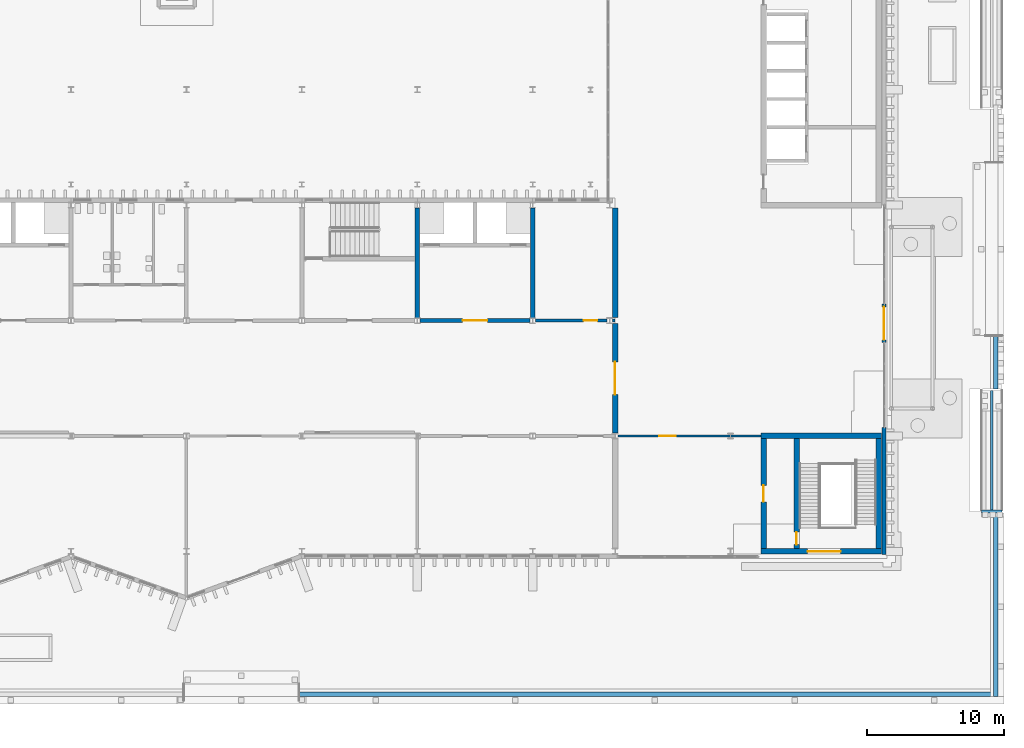
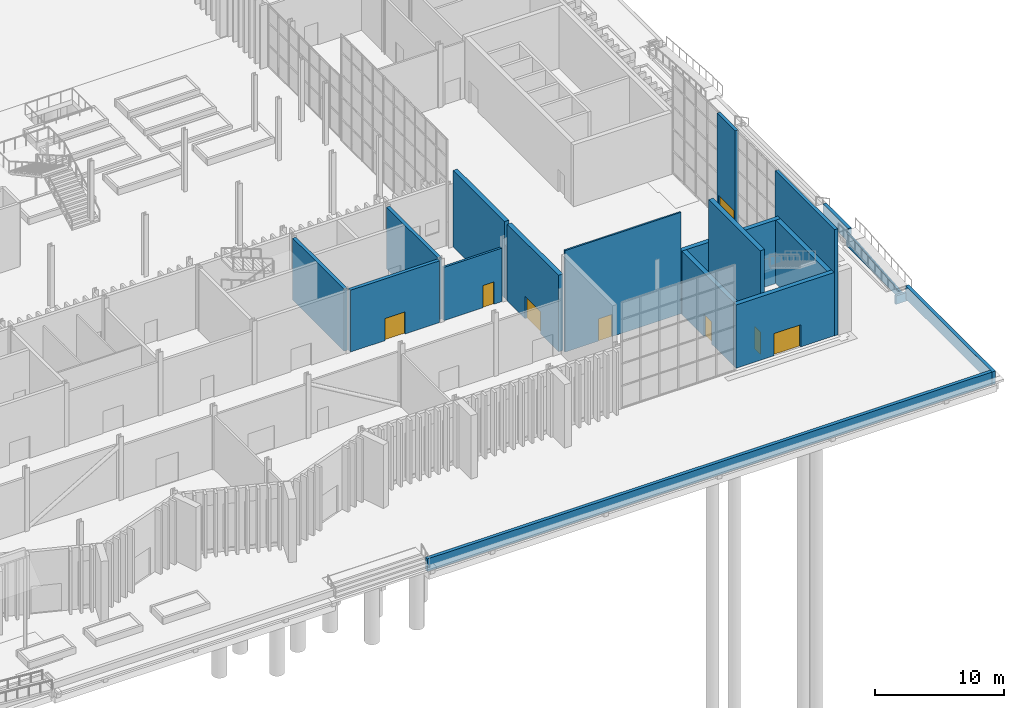
# One storey, part 70 of 108: 20 walls, 8 doors, 8 openings.
"""IFC4 building model written with IfcOpenShell, lengths in metres."""

import ifcopenshell
import ifcopenshell.guid

model = None  # the IFC model being written
_history = None  # IfcOwnerHistory: only IFC2X3 demands one
_inside = {}  # id of a spatial element -> (the spatial element, [elements in it])
_under = {}  # id of a project, library or spatial element -> (it, [spatial elements below it])
_declared = {}  # id of a project -> (the project, [libraries it declares])
_typed = {}  # id of a type object -> (the type object, [elements of that type])
_made_of = {}  # id of a material, layer set ... -> (it, [elements and type objects made of it])


def new_model(schema):
    """Start an empty IFC model of exactly this schema.

    Asked for "IFC4X3", IfcOpenShell would pick the latest addendum, in which some entities
    have other attributes; the version numbers below select the first issue.
    IFC2X3 requires an IfcOwnerHistory on every rooted entity: one is made here for all.
    """
    global model, _history
    if schema == "IFC4X3":
        model = ifcopenshell.file(schema_version=(4, 3, 0, 0))
    else:
        model = ifcopenshell.file(schema=schema)
    _inside.clear()
    _under.clear()
    _declared.clear()
    _typed.clear()
    _made_of.clear()
    _history = None
    if model.schema == "IFC2X3":
        org = make("IfcOrganization", Name="unknown")
        user = make(
            "IfcPersonAndOrganization",
            ThePerson=make("IfcPerson", FamilyName="unknown"),
            TheOrganization=org,
        )
        app = make(
            "IfcApplication",
            ApplicationDeveloper=org,
            Version="unknown",
            ApplicationFullName="unknown",
            ApplicationIdentifier="unknown",
        )
        _history = make(
            "IfcOwnerHistory",
            OwningUser=user,
            OwningApplication=app,
            ChangeAction="ADDED",
            CreationDate=0,
        )
    return model


def make(cls, **values):
    """One entity of the class cls with the attributes given. An attribute that is None is left unset."""
    return model.create_entity(
        cls, **{name: value for name, value in values.items() if value is not None}
    )


def rooted(cls, **values):
    """An entity with a GlobalId (a new one), such as an element, a storey or a relation."""
    return make(cls, GlobalId=ifcopenshell.guid.new(), OwnerHistory=_history, **values)


def si_unit(unit_type, name, prefix=None):
    """IfcSIUnit, for example si_unit("LENGTHUNIT", "METRE", prefix="MILLI")."""
    return make("IfcSIUnit", UnitType=unit_type, Prefix=prefix, Name=name)


def assignment(units):
    """IfcUnitAssignment: the units of a project."""
    return None if units is None else make("IfcUnitAssignment", Units=units)


def point(xyz):
    """IfcCartesianPoint."""
    return None if xyz is None else make("IfcCartesianPoint", Coordinates=xyz)


def direction(xyz):
    """IfcDirection."""
    return None if xyz is None else make("IfcDirection", DirectionRatios=xyz)


def frame(location, z_axis=None, x_axis=None):
    """IfcAxis2Placement3D, a coordinate frame: its origin and axes. An axis left out is left unset."""
    return make(
        "IfcAxis2Placement3D",
        Location=point(location),
        Axis=direction(z_axis),
        RefDirection=direction(x_axis),
    )


def frame_2d(location, x_axis=None):
    """IfcAxis2Placement2D, a coordinate frame in the plane: its origin and x axis."""
    return make(
        "IfcAxis2Placement2D", Location=point(location), RefDirection=direction(x_axis)
    )


def origin():
    """The frame at (0, 0, 0) with its axes left unset."""
    return frame((0.0, 0.0, 0.0))


def place(relative_to, where):
    """IfcLocalPlacement: puts the frame where relative to a parent placement (None: the world)."""
    return make(
        "IfcLocalPlacement", PlacementRelTo=relative_to, RelativePlacement=where
    )


def context(
    kind, dimensions, precision=None, world=None, true_north=None, identifier=None
):
    """IfcGeometricRepresentationContext, for example the 3D "Model" context."""
    return make(
        "IfcGeometricRepresentationContext",
        ContextIdentifier=identifier,
        ContextType=kind,
        CoordinateSpaceDimension=dimensions,
        Precision=precision,
        WorldCoordinateSystem=world,
        TrueNorth=true_north,
    )


def subcontext(parent, identifier, kind, view, scale=None):
    """IfcGeometricRepresentationSubContext, for example "Body" below "Model"."""
    return make(
        "IfcGeometricRepresentationSubContext",
        ContextIdentifier=identifier,
        ContextType=kind,
        ParentContext=parent,
        TargetScale=scale,
        TargetView=view,
    )


def project(units=None, contexts=None):
    """IfcProject with its units and contexts."""
    return rooted(
        "IfcProject",
        Name="project",
        RepresentationContexts=contexts,
        UnitsInContext=assignment(units),
    )


def spatial(cls, under=None, at=None, **own):
    """A site, building, storey or space (cls), placed at a placement, below another one or the project."""
    s = rooted(cls, ObjectPlacement=at, **own)
    if under is not None:
        _under.setdefault(under.id(), (under, []))[1].append(s)
    return s


def polyline(points):
    """IfcPolyline through the points."""
    return make("IfcPolyline", Points=[point(p) for p in points])


def profile(cls, at=None, kind="AREA", **sizes):
    """A parametric profile (cls). Its sizes go by their IFC names, for example OverallWidth=200.0."""
    return make(cls, ProfileType=kind, Position=at, **sizes)


def rectangle(**sizes):
    """IfcRectangleProfileDef."""
    return profile("IfcRectangleProfileDef", **sizes)


def outline(outer, holes=None, kind="AREA"):
    """IfcArbitraryClosedProfileDef: a profile drawn as a closed curve; with holes, ...WithVoids."""
    if holes is None:
        return make("IfcArbitraryClosedProfileDef", ProfileType=kind, OuterCurve=outer)
    return make(
        "IfcArbitraryProfileDefWithVoids",
        ProfileType=kind,
        OuterCurve=outer,
        InnerCurves=holes,
    )


def extrude(swept, where, along, depth):
    """IfcExtrudedAreaSolid: the profile swept, set in the frame where, extruded along a direction by depth."""
    return make(
        "IfcExtrudedAreaSolid",
        SweptArea=swept,
        Position=where,
        ExtrudedDirection=direction(along),
        Depth=depth,
    )


def shape(context_of_items, identifier, shape_type, items):
    """IfcShapeRepresentation: the items that make up one representation, for example the "Body"."""
    return make(
        "IfcShapeRepresentation",
        ContextOfItems=context_of_items,
        RepresentationIdentifier=identifier,
        RepresentationType=shape_type,
        Items=items,
    )


def material(Name=None, Category=None):
    """IfcMaterial."""
    return make("IfcMaterial", Name=Name, Category=Category)


def layer(
    of_material, thickness, ventilated=None, Name=None, Category=None, Priority=None
):
    """IfcMaterialLayer: one layer of a wall or slab, of a material (None: an air gap)."""
    return make(
        "IfcMaterialLayer",
        Material=of_material,
        LayerThickness=thickness,
        IsVentilated=ventilated,
        Name=Name,
        Category=Category,
        Priority=Priority,
    )


def layer_set(layers, Name=None):
    """IfcMaterialLayerSet."""
    return make("IfcMaterialLayerSet", MaterialLayers=layers, LayerSetName=Name)


def made_of(thing, what):
    """Note that an element or type object is made of a material, layer set ...; save() writes the relation."""
    if what is not None:
        _made_of.setdefault(what.id(), (what, []))[1].append(thing)
    return thing


def type_object(cls, material=None, **own):
    """A type object (cls), such as IfcWallType, which elements share."""
    return made_of(rooted(cls, **own), material)


def element(
    cls,
    number,
    at=None,
    inside=None,
    cuts=None,
    type_object=None,
    material=None,
    context=None,
    identifier="Body",
    shape_type=None,
    held_by="IfcProductDefinitionShape",
    body=None,
    shapes=None,
    **own,
):
    """One element of the class cls, such as IfcWall. Its Tag is "e" and its number.

    at: its placement. inside: the storey or other place that contains it. cuts: it is an
    opening in that element (IfcRelVoidsElement). A single representation is given by context,
    identifier, shape_type and body (its items); several are given by shapes. held_by: the class
    of the entity that holds the representations. save() writes the other relations.
    """
    e = rooted(cls, Tag="e%d" % number, ObjectPlacement=at, **own)
    if body is not None:
        shapes = [shape(context, identifier, shape_type, body)]
    if shapes is not None:
        e.Representation = make(held_by, Representations=shapes)
    if inside is not None:
        _inside.setdefault(inside.id(), (inside, []))[1].append(e)
    if cuts is not None:
        rooted(
            "IfcRelVoidsElement", RelatingBuildingElement=cuts, RelatedOpeningElement=e
        )
    if type_object is not None:
        _typed.setdefault(type_object.id(), (type_object, []))[1].append(e)
    return made_of(e, material)


def fill(opening, filler):
    """IfcRelFillsElement: the door or window that sits in an opening."""
    return rooted(
        "IfcRelFillsElement",
        RelatingOpeningElement=opening,
        RelatedBuildingElement=filler,
    )


def aggregate(whole, parts):
    """IfcRelAggregates: a whole, such as a stair, and the parts it consists of."""
    return rooted("IfcRelAggregates", RelatingObject=whole, RelatedObjects=parts)


def save(model, path):
    """Write the relations noted so far, then the file.

    IfcRelAggregates (storeys below a building ...), IfcRelContainedInSpatialStructure (elements
    in a storey), IfcRelDefinesByType, IfcRelAssociatesMaterial and IfcRelDeclares: one each for
    every whole, place, type object, material and project.
    """
    for whole, parts in _under.values():
        aggregate(whole, parts)
    for where, things in _inside.values():
        rooted(
            "IfcRelContainedInSpatialStructure",
            RelatedElements=things,
            RelatingStructure=where,
        )
    for kind, things in _typed.values():
        rooted("IfcRelDefinesByType", RelatedObjects=things, RelatingType=kind)
    for what, things in _made_of.values():
        rooted("IfcRelAssociatesMaterial", RelatedObjects=things, RelatingMaterial=what)
    for by, libraries in _declared.values():
        rooted("IfcRelDeclares", RelatingContext=by, RelatedDefinitions=libraries)
    model.write(path)


model = new_model("IFC4")

# Units and contexts
model_context = context("Model", 3, precision=1e-05, world=origin(), true_north=direction((0.0, 1.0)))
body_context = subcontext(model_context, "Body", "Model", "MODEL_VIEW")
ifc_project = project(units=[si_unit("LENGTHUNIT", "METRE"), si_unit("AREAUNIT", "SQUARE_METRE"), si_unit("VOLUMEUNIT", "CUBIC_METRE"), si_unit("PLANEANGLEUNIT", "RADIAN"), si_unit("MASSUNIT", "GRAM", prefix="KILO")], contexts=[model_context])

# Site, building, storey
site_placement = place(None, origin())
site = spatial("IfcSite", under=ifc_project, at=site_placement, CompositionType="ELEMENT")
building_placement = place(site_placement, origin())
building = spatial("IfcBuilding", under=site, at=building_placement, Name="Cresset Court Congress Hotel", CompositionType="ELEMENT")
storey_placement = place(building_placement, origin())
storey = spatial("IfcBuildingStorey", under=building, at=storey_placement, Name="L00", CompositionType="ELEMENT", Elevation=0.0)

# Walls
ifc_material_1 = material(Name="Concrete C50", Category="concrete")
ifc_layer_1 = layer(ifc_material_1, 0.300048828125)
ifc_layer_set_1 = layer_set([ifc_layer_1], Name="Core wall 300 Concrete C50")
wall_type_1 = type_object("IfcWallType", Name="Core wall 300 Concrete C50", PredefinedType="SHEAR", material=ifc_layer_set_1)
for number, where, z_axis, x_axis, name in (
    (1, (142.800048828125, 17.0, 0.0), (0.0, 0.0, 1.0), (0.0, 1.0, 0.0), "Core wall LC-B3"),
    (2, (151.199951171875, 17.0, 0.0), (0.0, 0.0, 1.0), (0.0, 1.0, 0.0), "Core wall LC-B3"),
):
    element("IfcWall", number, at=place(storey_placement, frame(where, z_axis=z_axis, x_axis=x_axis)), inside=storey, type_object=wall_type_1, Name=name, PredefinedType="SHEAR", context=body_context, shape_type="SweptSolid", body=[
        extrude(rectangle(XDim=8.0, YDim=0.300048828125, at=frame_2d((4.0, 0.0))), origin(), (0.0, 0.0, 1.0), 5.85009765625),
    ])

# Wall, opening, door
wall_1_placement = place(storey_placement, frame((143.0, 16.800048828125, 0.0), z_axis=(0.0, 0.0, 1.0), x_axis=(1.0, 0.0, 0.0)))
wall_1 = element("IfcWall", 3, at=wall_1_placement, inside=storey, type_object=wall_type_1, Name="Core wall LC-B3", PredefinedType="SHEAR", context=body_context, shape_type="SweptSolid", body=[
    extrude(rectangle(XDim=8.0, YDim=0.300048828125, at=frame_2d((4.0, 0.0))), origin(), (0.0, 0.0, 1.0), 5.85009765625),
])
opening_1_placement = place(wall_1_placement, frame((3.10009765625, 0.0, 0.0)))
opening_1 = element("IfcOpeningElement", 4, at=opening_1_placement, cuts=wall_1, Name="Opening DB-00-52", PredefinedType="OPENING", context=body_context, shape_type="SweptSolid", body=[
    extrude(rectangle(XDim=1.800048828125, YDim=2.10009765625, at=frame_2d((0.89990234375, 1.050048828125))), frame((0.0, 0.159912109375, 0.0), z_axis=(0.0, -1.0, 0.0), x_axis=(1.0, 0.0, 0.0)), (0.0, 0.0, 1.0), 0.320068359375),
])
ifc_material_2 = material(Name="Timber and steel frame", Category="steel")
door_type_1 = type_object("IfcDoorType", Name="Lobby fire door FD60 double 1800x2100", OperationType="DOUBLE_DOOR_SINGLE_SWING", PredefinedType="DOOR", material=ifc_material_2)
door_1_placement = place(opening_1_placement, origin())
door_1 = element("IfcDoor", 5, at=door_1_placement, inside=storey, type_object=door_type_1, Name="Lift lobby door LC-B3", OperationType="DOUBLE_DOOR_SINGLE_SWING", OverallHeight=2.10009765625, OverallWidth=1.800048828125, PredefinedType="DOOR", context=body_context, shape_type="SweptSolid", body=[
    extrude(rectangle(XDim=1.800048828125, YDim=2.10009765625, at=frame_2d((0.89990234375, 1.050048828125))), frame((0.0, 0.02490234375, 0.0), z_axis=(0.0, -1.0, 0.0), x_axis=(1.0, 0.0, 0.0)), (0.0, 0.0, 1.0), 0.050048828125),
])
fill(opening_1, door_1)

# Wall
ifc_material_3 = material(Name="Precast concrete C50", Category="concrete")
ifc_layer_2 = layer(ifc_material_3, 0.280029296875)
ifc_layer_set_2 = layer_set([ifc_layer_2], Name="External wall 280")
wall_type_2 = type_object("IfcWallType", Name="External wall 280", PredefinedType="SOLIDWALL", material=ifc_layer_set_2)
wall_2_placement = place(storey_placement, frame((176.760009765625, -0.219970703125, 0.0), z_axis=(0.0, 0.0, 1.0), x_axis=(0.0, 1.0, 0.0)))
element("IfcWall", 6, at=wall_2_placement, inside=storey, type_object=wall_type_2, Name="A.ew.L00.E.1", PredefinedType="SOLIDWALL", context=body_context, shape_type="SweptSolid", body=[
    extrude(rectangle(XDim=9.219970703125, YDim=0.280029296875, at=frame_2d((4.60986328125, 0.0))), origin(), (0.0, 0.0, 1.0), 10.050048828125),
])

# Wall, opening, door
wall_3_placement = place(storey_placement, frame((176.760009765625, 15.199951171875, 0.0), z_axis=(0.0, 0.0, 1.0), x_axis=(0.0, 1.0, 0.0)))
wall_3 = element("IfcWall", 7, at=wall_3_placement, inside=storey, type_object=wall_type_2, Name="A.ew.L00.E.2", PredefinedType="SOLIDWALL", context=body_context, shape_type="SweptSolid", body=[
    extrude(rectangle(XDim=2.800048828125, YDim=0.280029296875, at=frame_2d((1.39990234375, 0.0))), origin(), (0.0, 0.0, 1.0), 10.050048828125),
])
opening_2_placement = place(wall_3_placement, frame((0.199951171875, 0.0, 0.0)))
opening_2 = element("IfcOpeningElement", 8, at=opening_2_placement, cuts=wall_3, Name="Opening DA-00-M1", PredefinedType="OPENING", context=body_context, shape_type="SweptSolid", body=[
    extrude(rectangle(XDim=2.39990234375, YDim=2.39990234375, at=frame_2d((1.199951171875, 1.199951171875))), frame((0.0, 0.14990234375, 0.0), z_axis=(0.0, -1.0, 0.0), x_axis=(1.0, 0.0, 0.0)), (0.0, 0.0, 1.0), 0.300048828125),
])
ifc_material_4 = material(Name="aluminium and glass", Category="aluminium")
door_type_2 = type_object("IfcDoorType", Name="Main entrance door 2400x2400", OperationType="DOUBLE_DOOR_DOUBLE_SWING", PredefinedType="DOOR", material=ifc_material_4)
door_2_placement = place(opening_2_placement, origin())
door_2 = element("IfcDoor", 9, at=door_2_placement, inside=storey, type_object=door_type_2, Name="Door DA-00-M1", OperationType="DOUBLE_DOOR_DOUBLE_SWING", OverallHeight=2.39990234375, OverallWidth=2.39990234375, PredefinedType="DOOR", context=body_context, shape_type="SweptSolid", body=[
    extrude(rectangle(XDim=2.39990234375, YDim=2.39990234375, at=frame_2d((1.199951171875, 1.199951171875))), frame((0.0, 0.02490234375, 0.0), z_axis=(0.0, -1.0, 0.0), x_axis=(1.0, 0.0, 0.0)), (0.0, 0.0, 1.0), 0.050048828125),
])
fill(opening_2, door_2)

ifc_material_5 = material(Name="Gypsum board on steel studs", Category="steel")
ifc_layer_3 = layer(ifc_material_5, 0.199951171875)
ifc_layer_set_3 = layer_set([ifc_layer_3], Name="Foyer wall 200")
wall_type_3 = type_object("IfcWallType", Name="Foyer wall 200", PredefinedType="PARTITIONING", material=ifc_layer_set_3)
wall_4_placement = place(storey_placement, frame((151.39990234375, 16.800048828125, 0.0), z_axis=(0.0, 0.0, 1.0), x_axis=(1.0, 0.0, 0.0)))
wall_4 = element("IfcWall", 10, at=wall_4_placement, inside=storey, type_object=wall_type_3, Name="Foyer wall", PredefinedType="PARTITIONING", context=body_context, shape_type="SweptSolid", body=[
    extrude(rectangle(XDim=5.2001953125, YDim=0.199951171875, at=frame_2d((2.60009765625, 0.0))), origin(), (0.0, 0.0, 1.0), 5.050048828125),
])
opening_3_placement = place(wall_4_placement, frame((3.5, 0.0, 0.0)))
opening_3 = element("IfcOpeningElement", 11, at=opening_3_placement, cuts=wall_4, Name="Opening DB-00-36", PredefinedType="OPENING", context=body_context, shape_type="SweptSolid", body=[
    extrude(rectangle(XDim=1.0, YDim=2.10009765625, at=frame_2d((0.5, 1.050048828125))), frame((0.0, 0.10986328125, 0.0), z_axis=(0.0, -1.0, 0.0), x_axis=(1.0, 0.0, 0.0)), (0.0, 0.0, 1.0), 0.219970703125),
])
ifc_material_6 = material(Name="Timber and steel frame", Category="steel")
door_type_3 = type_object("IfcDoorType", Name="Fire door FD30 single 1000x2100", OperationType="SINGLE_SWING_LEFT", PredefinedType="DOOR", material=ifc_material_6)
door_3_placement = place(opening_3_placement, origin())
door_3 = element("IfcDoor", 12, at=door_3_placement, inside=storey, type_object=door_type_3, Name="Cleaner's Store door", OperationType="SINGLE_SWING_LEFT", OverallHeight=2.10009765625, OverallWidth=1.0, PredefinedType="DOOR", context=body_context, shape_type="SweptSolid", body=[
    extrude(rectangle(XDim=1.0, YDim=2.10009765625, at=frame_2d((0.5, 1.050048828125))), frame((0.0, 0.02490234375, 0.0), z_axis=(0.0, -1.0, 0.0), x_axis=(1.0, 0.0, 0.0)), (0.0, 0.0, 1.0), 0.050048828125),
])
fill(opening_3, door_3)

# Wall
wall_5_placement = place(storey_placement, frame((157.0, 16.800048828125, 0.0), z_axis=(0.0, 0.0, 1.0), x_axis=(1.0, 0.0, 0.0)))
element("IfcWall", 13, at=wall_5_placement, inside=storey, type_object=wall_type_3, Name="Foyer wall", PredefinedType="PARTITIONING", context=body_context, shape_type="SweptSolid", body=[
    extrude(rectangle(XDim=0.199951171875, YDim=0.199951171875, at=frame_2d((0.10009765625, 0.0))), origin(), (0.0, 0.0, 1.0), 5.050048828125),
])

# Wall, opening, door
ifc_material_7 = material(Name="Gypsum board partition")
ifc_layer_4 = layer(ifc_material_7, 0.14990234375)
ifc_layer_set_4 = layer_set([ifc_layer_4], Name="Guest-room partition 150")
wall_type_4 = type_object("IfcWallType", Name="Guest-room partition 150", PredefinedType="PARTITIONING", material=ifc_layer_set_4)
wall_6_placement = place(storey_placement, frame((157.403564453125, 8.39990234375, 0.0), z_axis=(0.0, 0.0, 1.0), x_axis=(1.0, 0.0, 0.0)))
wall_6 = element("IfcWall", 14, at=wall_6_placement, inside=storey, type_object=wall_type_4, Name="A.wl.L00.008", PredefinedType="PARTITIONING", context=body_context, shape_type="SweptSolid", body=[
    extrude(rectangle(XDim=10.396484375, YDim=0.14990234375, at=frame_2d((5.1982421875, 0.0))), origin(), (0.0, 0.0, 1.0), 9.60400390625),
])
opening_4_placement = place(wall_6_placement, frame((2.99658203125, 0.0, 0.0)))
opening_4 = element("IfcOpeningElement", 15, at=opening_4_placement, cuts=wall_6, Name="Opening DA-00-08", PredefinedType="OPENING", context=body_context, shape_type="SweptSolid", body=[
    extrude(rectangle(XDim=1.199951171875, YDim=2.10009765625, at=frame_2d((0.60009765625, 1.050048828125))), frame((0.0, 0.0849609375, 0.0), z_axis=(0.0, -1.0, 0.0), x_axis=(1.0, 0.0, 0.0)), (0.0, 0.0, 1.0), 0.169921875),
])
ifc_material_8 = material(Name="timber", Category="wood")
door_type_4 = type_object("IfcDoorType", Name="Interior door 1200x2100", OperationType="SINGLE_SWING_LEFT", PredefinedType="DOOR", material=ifc_material_8)
door_4_placement = place(opening_4_placement, origin())
door_4 = element("IfcDoor", 16, at=door_4_placement, inside=storey, type_object=door_type_4, Name="Door DA-00-08", OperationType="SINGLE_SWING_RIGHT", OverallHeight=2.10009765625, OverallWidth=1.199951171875, PredefinedType="DOOR", context=body_context, shape_type="SweptSolid", body=[
    extrude(rectangle(XDim=1.199951171875, YDim=2.10009765625, at=frame_2d((0.60009765625, 1.050048828125))), frame((0.0, 0.02490234375, 0.0), z_axis=(0.0, -1.0, 0.0), x_axis=(1.0, 0.0, 0.0)), (0.0, 0.0, 1.0), 0.050048828125),
])
fill(opening_4, door_4)

ifc_material_9 = material(Name="Concrete C40", Category="concrete")
ifc_layer_5 = layer(ifc_material_9, 0.39990234375)
ifc_layer_set_5 = layer_set([ifc_layer_5], Name="Party wall with Block B 400")
wall_type_5 = type_object("IfcWallType", Name="Party wall with Block B 400", PredefinedType="SOLIDWALL", material=ifc_layer_set_5)
wall_7_placement = place(storey_placement, frame((157.199951171875, 8.614013671875, 0.0), z_axis=(0.0, 0.0, 1.0), x_axis=(0.0, 1.0, 0.0)))
wall_7 = element("IfcWall", 17, at=wall_7_placement, inside=storey, type_object=wall_type_5, Name="A.wl.L00.006", PredefinedType="SOLIDWALL", context=body_context, shape_type="SweptSolid", body=[
    extrude(rectangle(XDim=7.971923828125, YDim=0.39990234375, at=frame_2d((3.98583984375, 0.0))), origin(), (0.0, 0.0, 1.0), 7.239990234375),
])
opening_5_placement = place(wall_7_placement, frame((2.785888671875, 0.0, 0.0)))
opening_5 = element("IfcOpeningElement", 18, at=opening_5_placement, cuts=wall_7, Name="Opening DA-00-06", PredefinedType="OPENING", context=body_context, shape_type="SweptSolid", body=[
    extrude(rectangle(XDim=2.39990234375, YDim=2.10009765625, at=frame_2d((1.199951171875, 1.050048828125))), frame((0.0, 0.2099609375, 0.0), z_axis=(0.0, -1.0, 0.0), x_axis=(1.0, 0.0, 0.0)), (0.0, 0.0, 1.0), 0.419921875),
])
ifc_material_10 = material(Name="steel and glass", Category="steel")
door_type_5 = type_object("IfcDoorType", Name="Connection double door 2400x2100 FD90", OperationType="DOUBLE_DOOR_DOUBLE_SWING", PredefinedType="DOOR", material=ifc_material_10)
door_5_placement = place(opening_5_placement, origin())
door_5 = element("IfcDoor", 19, at=door_5_placement, inside=storey, type_object=door_type_5, Name="Door DA-00-06", OperationType="DOUBLE_DOOR_DOUBLE_SWING", OverallHeight=2.10009765625, OverallWidth=2.39990234375, PredefinedType="DOOR", context=body_context, shape_type="SweptSolid", body=[
    extrude(rectangle(XDim=2.39990234375, YDim=2.10009765625, at=frame_2d((1.199951171875, 1.050048828125))), frame((0.0, 0.02490234375, 0.0), z_axis=(0.0, -1.0, 0.0), x_axis=(1.0, 0.0, 0.0)), (0.0, 0.0, 1.0), 0.050048828125),
])
fill(opening_5, door_5)

# Walls
wall_8_placement = place(storey_placement, frame((157.199951171875, 17.013916015625, 0.0), z_axis=(0.0, 0.0, 1.0), x_axis=(0.0, 1.0, 0.0)))
element("IfcWall", 20, at=wall_8_placement, inside=storey, type_object=wall_type_5, Name="A.wl.L00.007", PredefinedType="SOLIDWALL", context=body_context, shape_type="SweptSolid", body=[
    extrude(rectangle(XDim=7.97216796875, YDim=0.39990234375, at=frame_2d((3.986083984375, 0.0))), origin(), (0.0, 0.0, 1.0), 7.239990234375),
])
ifc_material_11 = material(Name="Concrete C35", Category="concrete")
ifc_layer_6 = layer(ifc_material_11, 0.300048828125)
ifc_layer_set_6 = layer_set([ifc_layer_6], Name="Plinth wall 300")
wall_type_6 = type_object("IfcWallType", Name="Plinth wall 300", PredefinedType="SOLIDWALL", material=ifc_layer_set_6)
wall_9_placement = place(storey_placement, frame((134.199951171875, -10.39990234375, -1.199951171875), z_axis=(0.0, 0.0, 1.0), x_axis=(1.0, 0.0, 0.0)))
element("IfcWall", 21, at=wall_9_placement, inside=storey, type_object=wall_type_6, Name="S.wall.L00.PS06", PredefinedType="SOLIDWALL", context=body_context, shape_type="SweptSolid", body=[
    extrude(rectangle(XDim=50.85009765625, YDim=0.300048828125, at=frame_2d((25.425048828125, 0.0))), origin(), (0.0, 0.0, 1.0), 1.199951171875),
])
wall_10_placement = place(storey_placement, frame((184.89990234375, -10.550048828125, -1.199951171875), z_axis=(0.0, 0.0, 1.0), x_axis=(0.0, 1.0, 0.0)))
element("IfcWall", 22, at=wall_10_placement, inside=storey, type_object=wall_type_6, Name="S.wall.L00.PE01", PredefinedType="SOLIDWALL", context=body_context, shape_type="SweptSolid", body=[
    extrude(rectangle(XDim=13.449951171875, YDim=0.300048828125, at=frame_2d((6.72509765625, 0.0))), origin(), (0.0, 0.0, 1.0), 1.199951171875),
])
wall_11_placement = place(storey_placement, frame((184.89990234375, 11.800048828125, -1.199951171875), z_axis=(0.0, 0.0, 1.0), x_axis=(0.0, 1.0, 0.0)))
element("IfcWall", 23, at=wall_11_placement, inside=storey, type_object=wall_type_6, Name="S.wall.L00.PE02", PredefinedType="SOLIDWALL", context=body_context, shape_type="SweptSolid", body=[
    extrude(rectangle(XDim=3.89990234375, YDim=0.300048828125, at=frame_2d((1.949951171875, 0.0))), origin(), (0.0, 0.0, 1.0), 1.199951171875),
])
ifc_material_12 = material(Name="Concrete C35", Category="concrete")
ifc_layer_7 = layer(ifc_material_12, 0.199951171875)
ifc_layer_set_7 = layer_set([ifc_layer_7], Name="Ramp cheek wall 200")
wall_type_7 = type_object("IfcWallType", Name="Ramp cheek wall 200", PredefinedType="SOLIDWALL", material=ifc_layer_set_7)
wall_12_placement = place(storey_placement, frame((184.60009765625, 3.0, -1.39990234375), z_axis=(0.0, 0.0, 1.0), x_axis=(0.0, 1.0, 0.0)))
element("IfcWall", 24, at=wall_12_placement, inside=storey, type_object=wall_type_7, Name="S.ramp.L00.E01.W1", PredefinedType="SOLIDWALL", context=body_context, shape_type="SweptSolid", body=[
    extrude(outline(polyline([(0.0, 0.0), (8.699951171875, 0.0), (8.699951171875, 1.199951171875), (7.199951171875, 1.199951171875), (0.0, 0.599853515625), (0.0, 0.0)])), frame((0.0, 0.10009765625, 0.0), z_axis=(0.0, -1.0, 0.0), x_axis=(1.0, 0.0, 0.0)), (0.0, 0.0, 1.0), 0.199951171875),
])
wall_13_placement = place(storey_placement, frame((183.85009765625, 2.900390625, -1.39990234375), z_axis=(0.0, 0.0, 1.0), x_axis=(1.0, 0.0, 0.0)))
element("IfcWall", 25, at=wall_13_placement, inside=storey, type_object=wall_type_7, Name="Ramp toe wall E01", PredefinedType="SOLIDWALL", context=body_context, shape_type="SweptSolid", body=[
    extrude(rectangle(XDim=1.5, YDim=0.199951171875, at=frame_2d((0.75, 0.0))), origin(), (0.0, 0.0, 1.0), 0.7998046875),
])

# Wall, opening, door
ifc_material_13 = material(Name="Concrete C50", Category="concrete")
ifc_layer_8 = layer(ifc_material_13, 0.39990234375)
ifc_layer_set_8 = layer_set([ifc_layer_8], Name="Stair core wall 400")
wall_type_8 = type_object("IfcWallType", Name="Stair core wall 400", PredefinedType="SOLIDWALL", material=ifc_layer_set_8)
wall_14_placement = place(storey_placement, frame((167.800048828125, 0.0, 0.0), z_axis=(0.0, 0.0, 1.0), x_axis=(1.0, 0.0, 0.0)))
wall_14 = element("IfcWall", 26, at=wall_14_placement, inside=storey, type_object=wall_type_8, Name="A.cw.ST-A1.L00.S", PredefinedType="SOLIDWALL", context=body_context, shape_type="SweptSolid", body=[
    extrude(rectangle(XDim=8.800048828125, YDim=0.39990234375, at=frame_2d((4.39990234375, 0.0))), origin(), (0.0, 0.0, 1.0), 6.0),
])
opening_6_placement = place(wall_14_placement, frame((3.39990234375, 0.0, 0.0)))
opening_6 = element("IfcOpeningElement", 27, at=opening_6_placement, cuts=wall_14, Name="Opening DA-00-16", PredefinedType="OPENING", context=body_context, shape_type="SweptSolid", body=[
    extrude(rectangle(XDim=2.39990234375, YDim=2.10009765625, at=frame_2d((1.199951171875, 1.050048828125))), frame((0.0, 0.2099609375, 0.0), z_axis=(0.0, -1.0, 0.0), x_axis=(1.0, 0.0, 0.0)), (0.0, 0.0, 1.0), 0.419921875),
])
ifc_material_14 = material(Name="steel", Category="steel")
door_type_6 = type_object("IfcDoorType", Name="Stair exit door 2400x2100 FD30", OperationType="DOUBLE_DOOR_DOUBLE_SWING", PredefinedType="DOOR", material=ifc_material_14)
door_6_placement = place(opening_6_placement, origin())
door_6 = element("IfcDoor", 28, at=door_6_placement, inside=storey, type_object=door_type_6, Name="Door DA-00-16", OperationType="DOUBLE_DOOR_DOUBLE_SWING", OverallHeight=2.10009765625, OverallWidth=2.39990234375, PredefinedType="DOOR", context=body_context, shape_type="SweptSolid", body=[
    extrude(rectangle(XDim=2.39990234375, YDim=2.10009765625, at=frame_2d((1.199951171875, 1.050048828125))), frame((0.0, 0.02490234375, 0.0), z_axis=(0.0, -1.0, 0.0), x_axis=(1.0, 0.0, 0.0)), (0.0, 0.0, 1.0), 0.050048828125),
])
fill(opening_6, door_6)

# Wall
wall_15_placement = place(storey_placement, frame((167.800048828125, 8.39990234375, 0.0), z_axis=(0.0, 0.0, 1.0), x_axis=(1.0, 0.0, 0.0)))
element("IfcWall", 29, at=wall_15_placement, inside=storey, type_object=wall_type_8, Name="A.cw.ST-A1.L00.N", PredefinedType="SOLIDWALL", context=body_context, shape_type="SweptSolid", body=[
    extrude(rectangle(XDim=8.800048828125, YDim=0.39990234375, at=frame_2d((4.39990234375, 0.0))), origin(), (0.0, 0.0, 1.0), 6.0),
])

# Wall, opening, door
wall_16_placement = place(storey_placement, frame((168.0, 0.199951171875, 0.0), z_axis=(0.0, 0.0, 1.0), x_axis=(0.0, 1.0, 0.0)))
wall_16 = element("IfcWall", 30, at=wall_16_placement, inside=storey, type_object=wall_type_8, Name="A.cw.ST-A1.L00.W", PredefinedType="SOLIDWALL", context=body_context, shape_type="SweptSolid", body=[
    extrude(rectangle(XDim=8.0, YDim=0.39990234375, at=frame_2d((4.0, 0.0))), origin(), (0.0, 0.0, 1.0), 6.0),
])
opening_7_placement = place(wall_16_placement, frame((3.39990234375, 0.0, 0.0)))
opening_7 = element("IfcOpeningElement", 31, at=opening_7_placement, cuts=wall_16, Name="Opening DA-00-14", PredefinedType="OPENING", context=body_context, shape_type="SweptSolid", body=[
    extrude(rectangle(XDim=1.199951171875, YDim=2.10009765625, at=frame_2d((0.60009765625, 1.050048828125))), frame((0.0, 0.2099609375, 0.0), z_axis=(0.0, -1.0, 0.0), x_axis=(1.0, 0.0, 0.0)), (0.0, 0.0, 1.0), 0.419921875),
])
ifc_material_15 = material(Name="steel", Category="steel")
door_type_7 = type_object("IfcDoorType", Name="Lobby door 1200x2100 FD60", OperationType="SINGLE_SWING_LEFT", PredefinedType="DOOR", material=ifc_material_15)
door_7_placement = place(opening_7_placement, origin())
door_7 = element("IfcDoor", 32, at=door_7_placement, inside=storey, type_object=door_type_7, Name="Door DA-00-14", OperationType="SINGLE_SWING_RIGHT", OverallHeight=2.10009765625, OverallWidth=1.199951171875, PredefinedType="DOOR", context=body_context, shape_type="SweptSolid", body=[
    extrude(rectangle(XDim=1.199951171875, YDim=2.10009765625, at=frame_2d((0.60009765625, 1.050048828125))), frame((0.0, 0.02490234375, 0.0), z_axis=(0.0, -1.0, 0.0), x_axis=(1.0, 0.0, 0.0)), (0.0, 0.0, 1.0), 0.050048828125),
])
fill(opening_7, door_7)

# Wall
wall_17_placement = place(storey_placement, frame((176.39990234375, 0.199951171875, 0.0), z_axis=(0.0, 0.0, 1.0), x_axis=(0.0, 1.0, 0.0)))
element("IfcWall", 33, at=wall_17_placement, inside=storey, type_object=wall_type_8, Name="A.cw.ST-A1.L00.E", PredefinedType="SOLIDWALL", context=body_context, shape_type="SweptSolid", body=[
    extrude(rectangle(XDim=8.0, YDim=0.39990234375, at=frame_2d((4.0, 0.0))), origin(), (0.0, 0.0, 1.0), 6.0),
])

# Wall, opening, door
wall_18_placement = place(storey_placement, frame((170.39990234375, 0.199951171875, 0.0), z_axis=(0.0, 0.0, 1.0), x_axis=(0.0, 1.0, 0.0)))
wall_18 = element("IfcWall", 34, at=wall_18_placement, inside=storey, type_object=wall_type_8, Name="A.wl.L00.015", PredefinedType="SOLIDWALL", context=body_context, shape_type="SweptSolid", body=[
    extrude(rectangle(XDim=8.0, YDim=0.39990234375, at=frame_2d((4.0, 0.0))), origin(), (0.0, 0.0, 1.0), 10.050048828125),
])
opening_8_placement = place(wall_18_placement, frame((0.300048828125, 0.0, 0.0)))
opening_8 = element("IfcOpeningElement", 35, at=opening_8_placement, cuts=wall_18, Name="Opening DA-00-12", PredefinedType="OPENING", context=body_context, shape_type="SweptSolid", body=[
    extrude(rectangle(XDim=0.89990234375, YDim=2.10009765625, at=frame_2d((0.449951171875, 1.050048828125))), frame((0.0, 0.2099609375, 0.0), z_axis=(0.0, -1.0, 0.0), x_axis=(1.0, 0.0, 0.0)), (0.0, 0.0, 1.0), 0.419921875),
])
ifc_material_16 = material(Name="steel", Category="steel")
door_type_8 = type_object("IfcDoorType", Name="Stair door 900x2100 FD60", OperationType="SINGLE_SWING_LEFT", PredefinedType="DOOR", material=ifc_material_16)
door_8_placement = place(opening_8_placement, origin())
door_8 = element("IfcDoor", 36, at=door_8_placement, inside=storey, type_object=door_type_8, Name="Door DA-00-12", OperationType="SINGLE_SWING_LEFT", OverallHeight=2.10009765625, OverallWidth=0.89990234375, PredefinedType="DOOR", context=body_context, shape_type="SweptSolid", body=[
    extrude(rectangle(XDim=0.89990234375, YDim=2.10009765625, at=frame_2d((0.449951171875, 1.050048828125))), frame((0.0, 0.02490234375, 0.0), z_axis=(0.0, -1.0, 0.0), x_axis=(1.0, 0.0, 0.0)), (0.0, 0.0, 1.0), 0.050048828125),
])
fill(opening_8, door_8)

save(model, "model.ifc")
